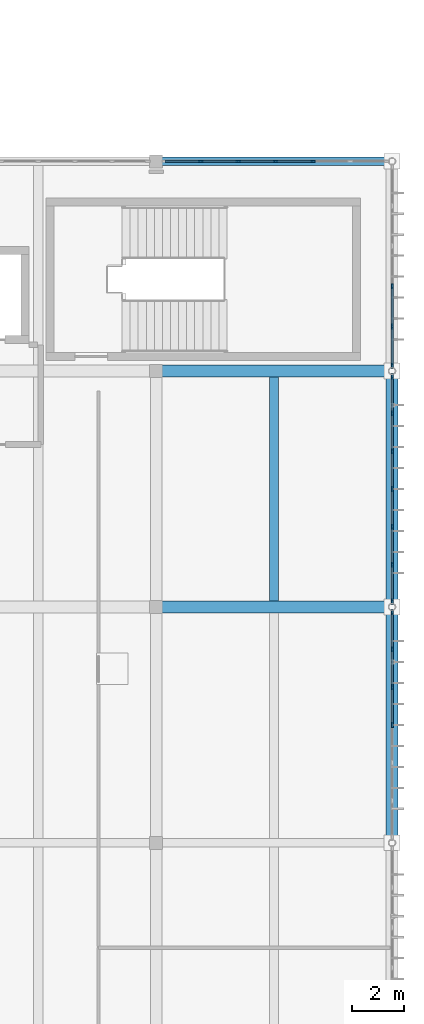
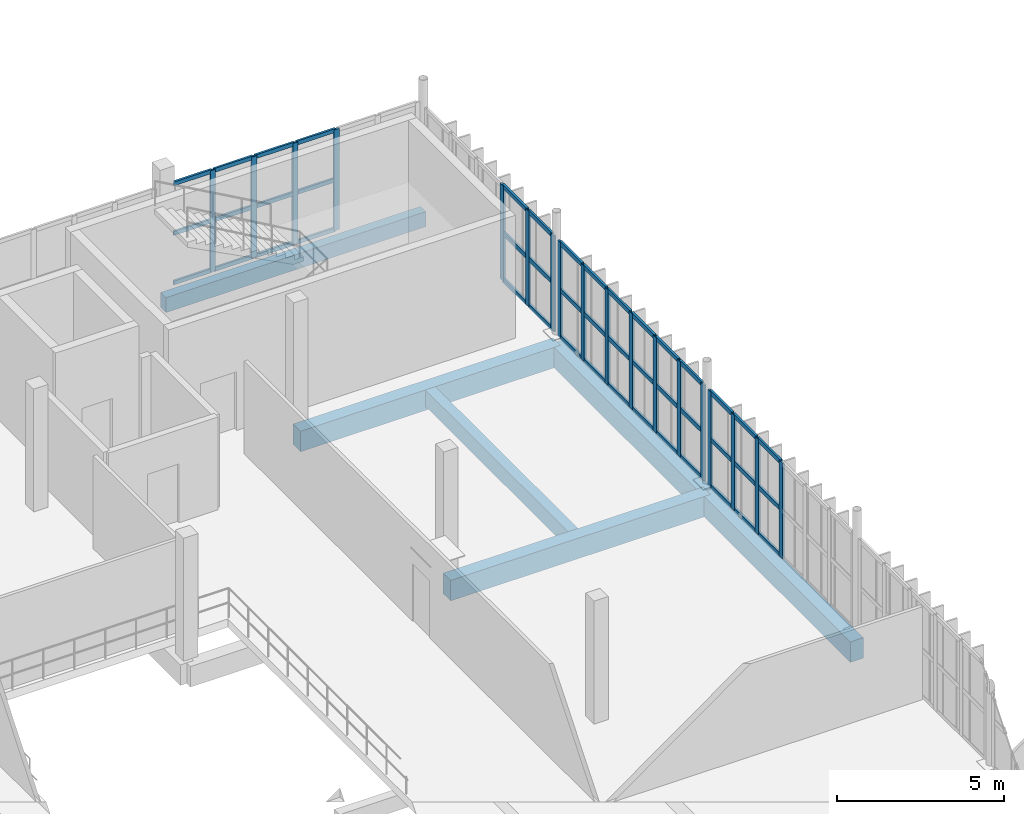
# One storey, part 36 of 81: 63 members, 6 beams, 4 elements without a shape of their own.
"""IFC4 building model written with IfcOpenShell, lengths in metres."""

from ifc_helpers import new_model, si_unit, direction, frame, origin, origin_2d, place, context, subcontext, project, spatial, rectangle, extrude, material, material_profile, profile_set, type_object, element, aggregate, save


model = new_model("IFC4")

# Units and contexts
model_context = context("Model", 3, precision=1e-05, world=origin(), true_north=direction((0.0, 1.0)))
body_context = subcontext(model_context, "Body", "Model", "MODEL_VIEW")
ifc_project = project(units=[si_unit("LENGTHUNIT", "METRE"), si_unit("AREAUNIT", "SQUARE_METRE"), si_unit("VOLUMEUNIT", "CUBIC_METRE"), si_unit("PLANEANGLEUNIT", "RADIAN"), si_unit("MASSUNIT", "GRAM", prefix="KILO")], contexts=[model_context])

# Site, building, storey
site_placement = place(None, origin())
site = spatial("IfcSite", under=ifc_project, at=site_placement, CompositionType="ELEMENT")
building_placement = place(site_placement, origin())
building = spatial("IfcBuilding", under=site, at=building_placement, Name="Vourika Railside Aquatics Centre", CompositionType="ELEMENT")
storey_placement = place(building_placement, frame((0.0, 0.0, 4.800048828125)))
storey = spatial("IfcBuildingStorey", under=building, at=storey_placement, Name="L01", CompositionType="ELEMENT", Elevation=4.800048828125)

# Beams
ifc_material_1 = material(Name="Concrete C35/45", Category="concrete")
ifc_material_profile_1 = material_profile(ifc_material_1, rectangle(XDim=0.449951171875, YDim=0.75, at=origin_2d()), Name="RC 450x750")
ifc_profile_set_1 = profile_set([ifc_material_profile_1], Name="Concrete C35/45")
beam_type_1 = type_object("IfcBeamType", Name="BM-GIRD-450x750", PredefinedType="BEAM", material=ifc_profile_set_1)
for number, where, z_axis, x_axis, name in (
    (1, (159.0, 75.0, -0.675048828125), (1.0, 0.0, 0.0), (0.0, 1.0, 0.0), "Floor Beam GX-L01-099"),
    (2, (159.0, 84.0, -0.675048828125), (1.0, 0.0, 0.0), (0.0, 1.0, 0.0), "Floor Beam GX-L01-104"),
    (3, (168.0, 66.0, -0.675048828125), (0.0, 1.0, 0.0), (-1.0, 0.0, 0.0), "Floor Girder GY-L01-295"),
    (4, (168.0, 75.0, -0.675048828125), (0.0, 1.0, 0.0), (-1.0, 0.0, 0.0), "Floor Girder GY-L01-296"),
):
    element("IfcBeam", number, at=place(storey_placement, frame(where, z_axis=z_axis, x_axis=x_axis)), inside=storey, type_object=beam_type_1, Name=name, PredefinedType="BEAM", context=body_context, shape_type="SweptSolid", body=[
        extrude(rectangle(XDim=0.449951171875, YDim=0.75, at=origin_2d()), origin(), (0.0, 0.0, 1.0), 9.0),
    ])
ifc_material_profile_2 = material_profile(ifc_material_1, rectangle(XDim=0.35009765625, YDim=0.60009765625, at=origin_2d()), Name="RC 350x600")
ifc_profile_set_2 = profile_set([ifc_material_profile_2], Name="Concrete C35/45")
beam_type_2 = type_object("IfcBeamType", Name="BM-SEC-350x600", PredefinedType="JOIST", material=ifc_profile_set_2)
beam_1_placement = place(storey_placement, frame((163.5, 75.22509765625, -0.60009765625), z_axis=(0.0, 1.0, 0.0), x_axis=(-1.0, 0.0, 0.0)))
element("IfcBeam", 5, at=beam_1_placement, inside=storey, type_object=beam_type_2, Name="Secondary Joist JY-L01-346", PredefinedType="JOIST", context=body_context, shape_type="SweptSolid", body=[
    extrude(rectangle(XDim=0.35009765625, YDim=0.60009765625, at=origin_2d()), origin(), (0.0, 0.0, 1.0), 8.5498046875),
])
ifc_material_profile_3 = material_profile(ifc_material_1, rectangle(XDim=0.320068359375, YDim=0.550048828125, at=origin_2d()), Name="RC 320x550")
ifc_profile_set_3 = profile_set([ifc_material_profile_3], Name="Concrete C35/45")
beam_type_3 = type_object("IfcBeamType", Name="BM-SPAN-320x550", PredefinedType="SPANDREL", material=ifc_profile_set_3)
beam_2_placement = place(storey_placement, frame((159.0, 92.0, -0.574951171875), z_axis=(1.0, 0.0, 0.0), x_axis=(0.0, 1.0, 0.0)))
element("IfcBeam", 6, at=beam_2_placement, inside=storey, type_object=beam_type_3, Name="Floor Beam GX-L01-123", PredefinedType="SPANDREL", context=body_context, shape_type="SweptSolid", body=[
    extrude(rectangle(XDim=0.320068359375, YDim=0.550048828125, at=origin_2d()), origin(), (0.0, 0.0, 1.0), 9.0),
])

# Curtain wall, members
ifc_material_2 = material(Name="Anodized thermally broken aluminium", Category="aluminium")
curtain_wall_type_1 = type_object("IfcCurtainWallType", Name="CW-FOYE", PredefinedType="NOTDEFINED", material=ifc_material_2)
curtain_wall_1_placement = place(storey_placement, origin())
curtain_wall_1 = element("IfcCurtainWall", 7, at=curtain_wall_1_placement, inside=storey, type_object=curtain_wall_type_1, Name="East Arrival Facade Curtain Wall L01-4", PredefinedType="NOTDEFINED")
ifc_material_3 = material(Name="Anodized aluminium mullion", Category="aluminium")
ifc_material_profile_4 = material_profile(ifc_material_3, rectangle(XDim=0.074951171875, YDim=0.199951171875, at=origin_2d()), Name="ALU-M 75x200")
ifc_profile_set_4 = profile_set([ifc_material_profile_4], Name="Anodized aluminium mullion")
member_type_1 = type_object("IfcMemberType", Name="CWM-FOYE", PredefinedType="MULLION", material=ifc_profile_set_4)
member_1_placement = place(storey_placement, frame((168.0, 70.5, 0.0), z_axis=(0.0, 0.0, 1.0), x_axis=(-1.0, 0.0, 0.0)))
member_1 = element("IfcMember", 8, at=member_1_placement, type_object=member_type_1, Name="CW10 mullion 4", PredefinedType="MULLION", context=body_context, shape_type="SweptSolid", body=[
    extrude(rectangle(XDim=0.074951171875, YDim=0.199951171875, at=origin_2d()), origin(), (0.0, 0.0, 1.0), 3.5),
])
member_2_placement = place(storey_placement, frame((168.0, 71.944580078125, 0.0), z_axis=(0.0, 0.0, 1.0), x_axis=(-1.0, 0.0, 0.0)))
member_2 = element("IfcMember", 9, at=member_2_placement, type_object=member_type_1, Name="CW10 mullion 5", PredefinedType="MULLION", context=body_context, shape_type="SweptSolid", body=[
    extrude(rectangle(XDim=0.074951171875, YDim=0.199951171875, at=origin_2d()), origin(), (0.0, 0.0, 1.0), 3.5),
])
member_3_placement = place(storey_placement, frame((168.0, 73.388916015625, 0.0), z_axis=(0.0, 0.0, 1.0), x_axis=(-1.0, 0.0, 0.0)))
member_3 = element("IfcMember", 10, at=member_3_placement, type_object=member_type_1, Name="CW10 mullion 6", PredefinedType="MULLION", context=body_context, shape_type="SweptSolid", body=[
    extrude(rectangle(XDim=0.074951171875, YDim=0.199951171875, at=origin_2d()), origin(), (0.0, 0.0, 1.0), 3.5),
])
member_4_placement = place(storey_placement, frame((168.0, 74.7958984375, 0.0), z_axis=(0.0, 0.0, 1.0), x_axis=(-1.0, 0.0, 0.0)))
member_4 = element("IfcMember", 11, at=member_4_placement, type_object=member_type_1, Name="CW10 mullion 7", PredefinedType="MULLION", context=body_context, shape_type="SweptSolid", body=[
    extrude(rectangle(XDim=0.074951171875, YDim=0.199951171875, at=origin_2d()), origin(), (0.0, 0.0, 1.0), 3.5),
])

curtain_wall_2_placement = place(storey_placement, origin())
curtain_wall_2 = element("IfcCurtainWall", 12, at=curtain_wall_2_placement, inside=storey, type_object=curtain_wall_type_1, Name="East Arrival Facade Curtain Wall L01-5", PredefinedType="NOTDEFINED")
member_5_placement = place(storey_placement, frame((168.0, 75.2041015625, 0.0), z_axis=(0.0, 0.0, 1.0), x_axis=(-1.0, 0.0, 0.0)))
member_5 = element("IfcMember", 13, at=member_5_placement, type_object=member_type_1, Name="CW10 mullion 1", PredefinedType="MULLION", context=body_context, shape_type="SweptSolid", body=[
    extrude(rectangle(XDim=0.074951171875, YDim=0.199951171875, at=origin_2d()), origin(), (0.0, 0.0, 1.0), 3.5),
])
member_6_placement = place(storey_placement, frame((168.0, 76.611083984375, 0.0), z_axis=(0.0, 0.0, 1.0), x_axis=(-1.0, 0.0, 0.0)))
member_6 = element("IfcMember", 14, at=member_6_placement, type_object=member_type_1, Name="CW10 mullion 2", PredefinedType="MULLION", context=body_context, shape_type="SweptSolid", body=[
    extrude(rectangle(XDim=0.074951171875, YDim=0.199951171875, at=origin_2d()), origin(), (0.0, 0.0, 1.0), 3.5),
])
member_7_placement = place(storey_placement, frame((168.0, 78.055419921875, 0.0), z_axis=(0.0, 0.0, 1.0), x_axis=(-1.0, 0.0, 0.0)))
member_7 = element("IfcMember", 15, at=member_7_placement, type_object=member_type_1, Name="CW10 mullion 3", PredefinedType="MULLION", context=body_context, shape_type="SweptSolid", body=[
    extrude(rectangle(XDim=0.074951171875, YDim=0.199951171875, at=origin_2d()), origin(), (0.0, 0.0, 1.0), 3.5),
])
member_8_placement = place(storey_placement, frame((168.0, 79.5, 0.0), z_axis=(0.0, 0.0, 1.0), x_axis=(-1.0, 0.0, 0.0)))
member_8 = element("IfcMember", 16, at=member_8_placement, type_object=member_type_1, Name="CW10 mullion 4", PredefinedType="MULLION", context=body_context, shape_type="SweptSolid", body=[
    extrude(rectangle(XDim=0.074951171875, YDim=0.199951171875, at=origin_2d()), origin(), (0.0, 0.0, 1.0), 3.5),
])
member_9_placement = place(storey_placement, frame((168.0, 80.944580078125, 0.0), z_axis=(0.0, 0.0, 1.0), x_axis=(-1.0, 0.0, 0.0)))
member_9 = element("IfcMember", 17, at=member_9_placement, type_object=member_type_1, Name="CW10 mullion 5", PredefinedType="MULLION", context=body_context, shape_type="SweptSolid", body=[
    extrude(rectangle(XDim=0.074951171875, YDim=0.199951171875, at=origin_2d()), origin(), (0.0, 0.0, 1.0), 3.5),
])
member_10_placement = place(storey_placement, frame((168.0, 82.388916015625, 0.0), z_axis=(0.0, 0.0, 1.0), x_axis=(-1.0, 0.0, 0.0)))
member_10 = element("IfcMember", 18, at=member_10_placement, type_object=member_type_1, Name="CW10 mullion 6", PredefinedType="MULLION", context=body_context, shape_type="SweptSolid", body=[
    extrude(rectangle(XDim=0.074951171875, YDim=0.199951171875, at=origin_2d()), origin(), (0.0, 0.0, 1.0), 3.5),
])
member_11_placement = place(storey_placement, frame((168.0, 83.7958984375, 0.0), z_axis=(0.0, 0.0, 1.0), x_axis=(-1.0, 0.0, 0.0)))
member_11 = element("IfcMember", 19, at=member_11_placement, type_object=member_type_1, Name="CW10 mullion 7", PredefinedType="MULLION", context=body_context, shape_type="SweptSolid", body=[
    extrude(rectangle(XDim=0.074951171875, YDim=0.199951171875, at=origin_2d()), origin(), (0.0, 0.0, 1.0), 3.5),
])

curtain_wall_3_placement = place(storey_placement, origin())
curtain_wall_3 = element("IfcCurtainWall", 20, at=curtain_wall_3_placement, inside=storey, type_object=curtain_wall_type_1, Name="East Arrival Facade Curtain Wall L01-6", PredefinedType="NOTDEFINED")
member_12_placement = place(storey_placement, frame((168.0, 84.2041015625, 0.0), z_axis=(0.0, 0.0, 1.0), x_axis=(-1.0, 0.0, 0.0)))
member_12 = element("IfcMember", 21, at=member_12_placement, type_object=member_type_1, Name="CW10 mullion 1", PredefinedType="MULLION", context=body_context, shape_type="SweptSolid", body=[
    extrude(rectangle(XDim=0.074951171875, YDim=0.199951171875, at=origin_2d()), origin(), (0.0, 0.0, 1.0), 3.5),
])
member_13_placement = place(storey_placement, frame((168.0, 85.699951171875, 0.0), z_axis=(0.0, 0.0, 1.0), x_axis=(-1.0, 0.0, 0.0)))
member_13 = element("IfcMember", 22, at=member_13_placement, type_object=member_type_1, Name="CW10 mullion 2", PredefinedType="MULLION", context=body_context, shape_type="SweptSolid", body=[
    extrude(rectangle(XDim=0.074951171875, YDim=0.199951171875, at=origin_2d()), origin(), (0.0, 0.0, 1.0), 3.5),
])
member_14_placement = place(storey_placement, frame((168.0, 87.2333984375, 0.0), z_axis=(0.0, 0.0, 1.0), x_axis=(-1.0, 0.0, 0.0)))
member_14 = element("IfcMember", 23, at=member_14_placement, type_object=member_type_1, Name="CW10 mullion 3", PredefinedType="MULLION", context=body_context, shape_type="SweptSolid", body=[
    extrude(rectangle(XDim=0.074951171875, YDim=0.199951171875, at=origin_2d()), origin(), (0.0, 0.0, 1.0), 3.5),
])

curtain_wall_type_2 = type_object("IfcCurtainWallType", Name="CW-FOYS", PredefinedType="NOTDEFINED", material=ifc_material_2)
curtain_wall_4_placement = place(storey_placement, origin())
curtain_wall_4 = element("IfcCurtainWall", 24, at=curtain_wall_4_placement, inside=storey, type_object=curtain_wall_type_2, Name="Foyer North Glazed Facade L01-3", PredefinedType="NOTDEFINED")
ifc_material_profile_5 = material_profile(ifc_material_3, rectangle(XDim=0.072021484375, YDim=0.181884765625, at=origin_2d()), Name="ALU-M 72x182")
ifc_profile_set_5 = profile_set([ifc_material_profile_5], Name="Anodized aluminium mullion")
member_type_2 = type_object("IfcMemberType", Name="CWM-FOYS", PredefinedType="MULLION", material=ifc_profile_set_5)
member_15_placement = place(storey_placement, frame((164.982421875, 92.0, 0.0), z_axis=(0.0, 0.0, 1.0), x_axis=(0.0, -1.0, 0.0)))
member_15 = element("IfcMember", 25, at=member_15_placement, type_object=member_type_2, Name="CW11 mullion 3", PredefinedType="MULLION", context=body_context, shape_type="SweptSolid", body=[
    extrude(rectangle(XDim=0.072021484375, YDim=0.181884765625, at=origin_2d()), origin(), (0.0, 0.0, 1.0), 3.699951171875),
])
member_16_placement = place(storey_placement, frame((163.556640625, 92.0, 0.0), z_axis=(0.0, 0.0, 1.0), x_axis=(0.0, -1.0, 0.0)))
member_16 = element("IfcMember", 26, at=member_16_placement, type_object=member_type_2, Name="CW11 mullion 4", PredefinedType="MULLION", context=body_context, shape_type="SweptSolid", body=[
    extrude(rectangle(XDim=0.072021484375, YDim=0.181884765625, at=origin_2d()), origin(), (0.0, 0.0, 1.0), 3.699951171875),
])
member_17_placement = place(storey_placement, frame((162.131103515625, 92.0, 0.0), z_axis=(0.0, 0.0, 1.0), x_axis=(0.0, -1.0, 0.0)))
member_17 = element("IfcMember", 27, at=member_17_placement, type_object=member_type_2, Name="CW11 mullion 5", PredefinedType="MULLION", context=body_context, shape_type="SweptSolid", body=[
    extrude(rectangle(XDim=0.072021484375, YDim=0.181884765625, at=origin_2d()), origin(), (0.0, 0.0, 1.0), 3.699951171875),
])
member_18_placement = place(storey_placement, frame((160.70556640625, 92.0, 0.0), z_axis=(0.0, 0.0, 1.0), x_axis=(0.0, -1.0, 0.0)))
member_18 = element("IfcMember", 28, at=member_18_placement, type_object=member_type_2, Name="CW11 mullion 6", PredefinedType="MULLION", context=body_context, shape_type="SweptSolid", body=[
    extrude(rectangle(XDim=0.072021484375, YDim=0.181884765625, at=origin_2d()), origin(), (0.0, 0.0, 1.0), 3.699951171875),
])

# Member
ifc_material_4 = material(Name="Anodized aluminium transom", Category="aluminium")
ifc_material_profile_6 = material_profile(ifc_material_4, rectangle(XDim=0.074951171875, YDim=0.157958984375, at=origin_2d()), Name="ALU-T 75x158")
ifc_profile_set_6 = profile_set([ifc_material_profile_6], Name="Anodized aluminium transom")
member_type_3 = type_object("IfcMemberType", Name="CWT-FOYE", PredefinedType="USERDEFINED", material=ifc_profile_set_6)
member_19_placement = place(storey_placement, frame((168.0, 70.53759765625, 0.037353515625), z_axis=(0.0, 1.0, 0.0), x_axis=(-1.0, 0.0, 0.0)))
member_19 = element("IfcMember", 29, at=member_19_placement, type_object=member_type_3, Name="CW10 transom 4.1", ObjectType="TRANSOM", PredefinedType="USERDEFINED", context=body_context, shape_type="SweptSolid", body=[
    extrude(rectangle(XDim=0.074951171875, YDim=0.157958984375, at=origin_2d()), origin(), (0.0, 0.0, 1.0), 1.369384765625),
])

member_20_placement = place(storey_placement, frame((168.0, 70.53759765625, 1.75), z_axis=(0.0, 1.0, 0.0), x_axis=(-1.0, 0.0, 0.0)))
member_20 = element("IfcMember", 30, at=member_20_placement, type_object=member_type_3, Name="CW10 transom 4.2", ObjectType="TRANSOM", PredefinedType="USERDEFINED", context=body_context, shape_type="SweptSolid", body=[
    extrude(rectangle(XDim=0.074951171875, YDim=0.157958984375, at=origin_2d()), origin(), (0.0, 0.0, 1.0), 1.369384765625),
])

member_21_placement = place(storey_placement, frame((168.0, 70.53759765625, 3.46240234375), z_axis=(0.0, 1.0, 0.0), x_axis=(-1.0, 0.0, 0.0)))
member_21 = element("IfcMember", 31, at=member_21_placement, type_object=member_type_3, Name="CW10 transom 4.3", ObjectType="TRANSOM", PredefinedType="USERDEFINED", context=body_context, shape_type="SweptSolid", body=[
    extrude(rectangle(XDim=0.074951171875, YDim=0.157958984375, at=origin_2d()), origin(), (0.0, 0.0, 1.0), 1.369384765625),
])

member_22_placement = place(storey_placement, frame((168.0, 71.98193359375, 0.037353515625), z_axis=(0.0, 1.0, 0.0), x_axis=(-1.0, 0.0, 0.0)))
member_22 = element("IfcMember", 32, at=member_22_placement, type_object=member_type_3, Name="CW10 transom 5.1", ObjectType="TRANSOM", PredefinedType="USERDEFINED", context=body_context, shape_type="SweptSolid", body=[
    extrude(rectangle(XDim=0.074951171875, YDim=0.157958984375, at=origin_2d()), origin(), (0.0, 0.0, 1.0), 1.36962890625),
])

member_23_placement = place(storey_placement, frame((168.0, 71.98193359375, 1.75), z_axis=(0.0, 1.0, 0.0), x_axis=(-1.0, 0.0, 0.0)))
member_23 = element("IfcMember", 33, at=member_23_placement, type_object=member_type_3, Name="CW10 transom 5.2", ObjectType="TRANSOM", PredefinedType="USERDEFINED", context=body_context, shape_type="SweptSolid", body=[
    extrude(rectangle(XDim=0.074951171875, YDim=0.157958984375, at=origin_2d()), origin(), (0.0, 0.0, 1.0), 1.36962890625),
])

member_24_placement = place(storey_placement, frame((168.0, 71.98193359375, 3.46240234375), z_axis=(0.0, 1.0, 0.0), x_axis=(-1.0, 0.0, 0.0)))
member_24 = element("IfcMember", 34, at=member_24_placement, type_object=member_type_3, Name="CW10 transom 5.3", ObjectType="TRANSOM", PredefinedType="USERDEFINED", context=body_context, shape_type="SweptSolid", body=[
    extrude(rectangle(XDim=0.074951171875, YDim=0.157958984375, at=origin_2d()), origin(), (0.0, 0.0, 1.0), 1.36962890625),
])

member_25_placement = place(storey_placement, frame((168.0, 73.426513671875, 0.037353515625), z_axis=(0.0, 1.0, 0.0), x_axis=(-1.0, 0.0, 0.0)))
member_25 = element("IfcMember", 35, at=member_25_placement, type_object=member_type_3, Name="CW10 transom 6.1", ObjectType="TRANSOM", PredefinedType="USERDEFINED", context=body_context, shape_type="SweptSolid", body=[
    extrude(rectangle(XDim=0.074951171875, YDim=0.157958984375, at=origin_2d()), origin(), (0.0, 0.0, 1.0), 1.33203125),
])

member_26_placement = place(storey_placement, frame((168.0, 73.426513671875, 1.75), z_axis=(0.0, 1.0, 0.0), x_axis=(-1.0, 0.0, 0.0)))
member_26 = element("IfcMember", 36, at=member_26_placement, type_object=member_type_3, Name="CW10 transom 6.2", ObjectType="TRANSOM", PredefinedType="USERDEFINED", context=body_context, shape_type="SweptSolid", body=[
    extrude(rectangle(XDim=0.074951171875, YDim=0.157958984375, at=origin_2d()), origin(), (0.0, 0.0, 1.0), 1.33203125),
])

member_27_placement = place(storey_placement, frame((168.0, 73.426513671875, 3.46240234375), z_axis=(0.0, 1.0, 0.0), x_axis=(-1.0, 0.0, 0.0)))
member_27 = element("IfcMember", 37, at=member_27_placement, type_object=member_type_3, Name="CW10 transom 6.3", ObjectType="TRANSOM", PredefinedType="USERDEFINED", context=body_context, shape_type="SweptSolid", body=[
    extrude(rectangle(XDim=0.074951171875, YDim=0.157958984375, at=origin_2d()), origin(), (0.0, 0.0, 1.0), 1.33203125),
])

aggregate(curtain_wall_1, [member_1, member_2, member_3, member_4, member_19, member_20, member_21, member_22, member_23, member_24, member_25, member_26, member_27])

member_28_placement = place(storey_placement, frame((168.0, 75.241455078125, 0.037353515625), z_axis=(0.0, 1.0, 0.0), x_axis=(-1.0, 0.0, 0.0)))
member_28 = element("IfcMember", 38, at=member_28_placement, type_object=member_type_3, Name="CW10 transom 1.1", ObjectType="TRANSOM", PredefinedType="USERDEFINED", context=body_context, shape_type="SweptSolid", body=[
    extrude(rectangle(XDim=0.074951171875, YDim=0.157958984375, at=origin_2d()), origin(), (0.0, 0.0, 1.0), 1.33203125),
])

member_29_placement = place(storey_placement, frame((168.0, 75.241455078125, 1.75), z_axis=(0.0, 1.0, 0.0), x_axis=(-1.0, 0.0, 0.0)))
member_29 = element("IfcMember", 39, at=member_29_placement, type_object=member_type_3, Name="CW10 transom 1.2", ObjectType="TRANSOM", PredefinedType="USERDEFINED", context=body_context, shape_type="SweptSolid", body=[
    extrude(rectangle(XDim=0.074951171875, YDim=0.157958984375, at=origin_2d()), origin(), (0.0, 0.0, 1.0), 1.33203125),
])

member_30_placement = place(storey_placement, frame((168.0, 75.241455078125, 3.46240234375), z_axis=(0.0, 1.0, 0.0), x_axis=(-1.0, 0.0, 0.0)))
member_30 = element("IfcMember", 40, at=member_30_placement, type_object=member_type_3, Name="CW10 transom 1.3", ObjectType="TRANSOM", PredefinedType="USERDEFINED", context=body_context, shape_type="SweptSolid", body=[
    extrude(rectangle(XDim=0.074951171875, YDim=0.157958984375, at=origin_2d()), origin(), (0.0, 0.0, 1.0), 1.33203125),
])

member_31_placement = place(storey_placement, frame((168.0, 76.6484375, 0.037353515625), z_axis=(0.0, 1.0, 0.0), x_axis=(-1.0, 0.0, 0.0)))
member_31 = element("IfcMember", 41, at=member_31_placement, type_object=member_type_3, Name="CW10 transom 2.1", ObjectType="TRANSOM", PredefinedType="USERDEFINED", context=body_context, shape_type="SweptSolid", body=[
    extrude(rectangle(XDim=0.074951171875, YDim=0.157958984375, at=origin_2d()), origin(), (0.0, 0.0, 1.0), 1.36962890625),
])

member_32_placement = place(storey_placement, frame((168.0, 76.6484375, 1.75), z_axis=(0.0, 1.0, 0.0), x_axis=(-1.0, 0.0, 0.0)))
member_32 = element("IfcMember", 42, at=member_32_placement, type_object=member_type_3, Name="CW10 transom 2.2", ObjectType="TRANSOM", PredefinedType="USERDEFINED", context=body_context, shape_type="SweptSolid", body=[
    extrude(rectangle(XDim=0.074951171875, YDim=0.157958984375, at=origin_2d()), origin(), (0.0, 0.0, 1.0), 1.36962890625),
])

member_33_placement = place(storey_placement, frame((168.0, 76.6484375, 3.46240234375), z_axis=(0.0, 1.0, 0.0), x_axis=(-1.0, 0.0, 0.0)))
member_33 = element("IfcMember", 43, at=member_33_placement, type_object=member_type_3, Name="CW10 transom 2.3", ObjectType="TRANSOM", PredefinedType="USERDEFINED", context=body_context, shape_type="SweptSolid", body=[
    extrude(rectangle(XDim=0.074951171875, YDim=0.157958984375, at=origin_2d()), origin(), (0.0, 0.0, 1.0), 1.36962890625),
])

member_34_placement = place(storey_placement, frame((168.0, 78.093017578125, 0.037353515625), z_axis=(0.0, 1.0, 0.0), x_axis=(-1.0, 0.0, 0.0)))
member_34 = element("IfcMember", 44, at=member_34_placement, type_object=member_type_3, Name="CW10 transom 3.1", ObjectType="TRANSOM", PredefinedType="USERDEFINED", context=body_context, shape_type="SweptSolid", body=[
    extrude(rectangle(XDim=0.074951171875, YDim=0.157958984375, at=origin_2d()), origin(), (0.0, 0.0, 1.0), 1.369384765625),
])

member_35_placement = place(storey_placement, frame((168.0, 78.093017578125, 1.75), z_axis=(0.0, 1.0, 0.0), x_axis=(-1.0, 0.0, 0.0)))
member_35 = element("IfcMember", 45, at=member_35_placement, type_object=member_type_3, Name="CW10 transom 3.2", ObjectType="TRANSOM", PredefinedType="USERDEFINED", context=body_context, shape_type="SweptSolid", body=[
    extrude(rectangle(XDim=0.074951171875, YDim=0.157958984375, at=origin_2d()), origin(), (0.0, 0.0, 1.0), 1.369384765625),
])

member_36_placement = place(storey_placement, frame((168.0, 78.093017578125, 3.46240234375), z_axis=(0.0, 1.0, 0.0), x_axis=(-1.0, 0.0, 0.0)))
member_36 = element("IfcMember", 46, at=member_36_placement, type_object=member_type_3, Name="CW10 transom 3.3", ObjectType="TRANSOM", PredefinedType="USERDEFINED", context=body_context, shape_type="SweptSolid", body=[
    extrude(rectangle(XDim=0.074951171875, YDim=0.157958984375, at=origin_2d()), origin(), (0.0, 0.0, 1.0), 1.369384765625),
])

member_37_placement = place(storey_placement, frame((168.0, 79.53759765625, 0.037353515625), z_axis=(0.0, 1.0, 0.0), x_axis=(-1.0, 0.0, 0.0)))
member_37 = element("IfcMember", 47, at=member_37_placement, type_object=member_type_3, Name="CW10 transom 4.1", ObjectType="TRANSOM", PredefinedType="USERDEFINED", context=body_context, shape_type="SweptSolid", body=[
    extrude(rectangle(XDim=0.074951171875, YDim=0.157958984375, at=origin_2d()), origin(), (0.0, 0.0, 1.0), 1.369384765625),
])

member_38_placement = place(storey_placement, frame((168.0, 79.53759765625, 1.75), z_axis=(0.0, 1.0, 0.0), x_axis=(-1.0, 0.0, 0.0)))
member_38 = element("IfcMember", 48, at=member_38_placement, type_object=member_type_3, Name="CW10 transom 4.2", ObjectType="TRANSOM", PredefinedType="USERDEFINED", context=body_context, shape_type="SweptSolid", body=[
    extrude(rectangle(XDim=0.074951171875, YDim=0.157958984375, at=origin_2d()), origin(), (0.0, 0.0, 1.0), 1.369384765625),
])

member_39_placement = place(storey_placement, frame((168.0, 79.53759765625, 3.46240234375), z_axis=(0.0, 1.0, 0.0), x_axis=(-1.0, 0.0, 0.0)))
member_39 = element("IfcMember", 49, at=member_39_placement, type_object=member_type_3, Name="CW10 transom 4.3", ObjectType="TRANSOM", PredefinedType="USERDEFINED", context=body_context, shape_type="SweptSolid", body=[
    extrude(rectangle(XDim=0.074951171875, YDim=0.157958984375, at=origin_2d()), origin(), (0.0, 0.0, 1.0), 1.369384765625),
])

member_40_placement = place(storey_placement, frame((168.0, 80.98193359375, 0.037353515625), z_axis=(0.0, 1.0, 0.0), x_axis=(-1.0, 0.0, 0.0)))
member_40 = element("IfcMember", 50, at=member_40_placement, type_object=member_type_3, Name="CW10 transom 5.1", ObjectType="TRANSOM", PredefinedType="USERDEFINED", context=body_context, shape_type="SweptSolid", body=[
    extrude(rectangle(XDim=0.074951171875, YDim=0.157958984375, at=origin_2d()), origin(), (0.0, 0.0, 1.0), 1.36962890625),
])

member_41_placement = place(storey_placement, frame((168.0, 80.98193359375, 1.75), z_axis=(0.0, 1.0, 0.0), x_axis=(-1.0, 0.0, 0.0)))
member_41 = element("IfcMember", 51, at=member_41_placement, type_object=member_type_3, Name="CW10 transom 5.2", ObjectType="TRANSOM", PredefinedType="USERDEFINED", context=body_context, shape_type="SweptSolid", body=[
    extrude(rectangle(XDim=0.074951171875, YDim=0.157958984375, at=origin_2d()), origin(), (0.0, 0.0, 1.0), 1.36962890625),
])

member_42_placement = place(storey_placement, frame((168.0, 80.98193359375, 3.46240234375), z_axis=(0.0, 1.0, 0.0), x_axis=(-1.0, 0.0, 0.0)))
member_42 = element("IfcMember", 52, at=member_42_placement, type_object=member_type_3, Name="CW10 transom 5.3", ObjectType="TRANSOM", PredefinedType="USERDEFINED", context=body_context, shape_type="SweptSolid", body=[
    extrude(rectangle(XDim=0.074951171875, YDim=0.157958984375, at=origin_2d()), origin(), (0.0, 0.0, 1.0), 1.36962890625),
])

member_43_placement = place(storey_placement, frame((168.0, 82.426513671875, 0.037353515625), z_axis=(0.0, 1.0, 0.0), x_axis=(-1.0, 0.0, 0.0)))
member_43 = element("IfcMember", 53, at=member_43_placement, type_object=member_type_3, Name="CW10 transom 6.1", ObjectType="TRANSOM", PredefinedType="USERDEFINED", context=body_context, shape_type="SweptSolid", body=[
    extrude(rectangle(XDim=0.074951171875, YDim=0.157958984375, at=origin_2d()), origin(), (0.0, 0.0, 1.0), 1.33203125),
])

member_44_placement = place(storey_placement, frame((168.0, 82.426513671875, 1.75), z_axis=(0.0, 1.0, 0.0), x_axis=(-1.0, 0.0, 0.0)))
member_44 = element("IfcMember", 54, at=member_44_placement, type_object=member_type_3, Name="CW10 transom 6.2", ObjectType="TRANSOM", PredefinedType="USERDEFINED", context=body_context, shape_type="SweptSolid", body=[
    extrude(rectangle(XDim=0.074951171875, YDim=0.157958984375, at=origin_2d()), origin(), (0.0, 0.0, 1.0), 1.33203125),
])

member_45_placement = place(storey_placement, frame((168.0, 82.426513671875, 3.46240234375), z_axis=(0.0, 1.0, 0.0), x_axis=(-1.0, 0.0, 0.0)))
member_45 = element("IfcMember", 55, at=member_45_placement, type_object=member_type_3, Name="CW10 transom 6.3", ObjectType="TRANSOM", PredefinedType="USERDEFINED", context=body_context, shape_type="SweptSolid", body=[
    extrude(rectangle(XDim=0.074951171875, YDim=0.157958984375, at=origin_2d()), origin(), (0.0, 0.0, 1.0), 1.33203125),
])

aggregate(curtain_wall_2, [member_5, member_6, member_7, member_8, member_9, member_10, member_11, member_28, member_29, member_30, member_31, member_32, member_33, member_34, member_35, member_36, member_37, member_38, member_39, member_40, member_41, member_42, member_43, member_44, member_45])

member_46_placement = place(storey_placement, frame((168.0, 84.241455078125, 0.037353515625), z_axis=(0.0, 1.0, 0.0), x_axis=(-1.0, 0.0, 0.0)))
member_46 = element("IfcMember", 56, at=member_46_placement, type_object=member_type_3, Name="CW10 transom 1.1", ObjectType="TRANSOM", PredefinedType="USERDEFINED", context=body_context, shape_type="SweptSolid", body=[
    extrude(rectangle(XDim=0.074951171875, YDim=0.157958984375, at=origin_2d()), origin(), (0.0, 0.0, 1.0), 1.4208984375),
])

member_47_placement = place(storey_placement, frame((168.0, 84.241455078125, 1.75), z_axis=(0.0, 1.0, 0.0), x_axis=(-1.0, 0.0, 0.0)))
member_47 = element("IfcMember", 57, at=member_47_placement, type_object=member_type_3, Name="CW10 transom 1.2", ObjectType="TRANSOM", PredefinedType="USERDEFINED", context=body_context, shape_type="SweptSolid", body=[
    extrude(rectangle(XDim=0.074951171875, YDim=0.157958984375, at=origin_2d()), origin(), (0.0, 0.0, 1.0), 1.4208984375),
])

member_48_placement = place(storey_placement, frame((168.0, 84.241455078125, 3.46240234375), z_axis=(0.0, 1.0, 0.0), x_axis=(-1.0, 0.0, 0.0)))
member_48 = element("IfcMember", 58, at=member_48_placement, type_object=member_type_3, Name="CW10 transom 1.3", ObjectType="TRANSOM", PredefinedType="USERDEFINED", context=body_context, shape_type="SweptSolid", body=[
    extrude(rectangle(XDim=0.074951171875, YDim=0.157958984375, at=origin_2d()), origin(), (0.0, 0.0, 1.0), 1.4208984375),
])

member_49_placement = place(storey_placement, frame((168.0, 85.7373046875, 0.037353515625), z_axis=(0.0, 1.0, 0.0), x_axis=(-1.0, 0.0, 0.0)))
member_49 = element("IfcMember", 59, at=member_49_placement, type_object=member_type_3, Name="CW10 transom 2.1", ObjectType="TRANSOM", PredefinedType="USERDEFINED", context=body_context, shape_type="SweptSolid", body=[
    extrude(rectangle(XDim=0.074951171875, YDim=0.157958984375, at=origin_2d()), origin(), (0.0, 0.0, 1.0), 1.45849609375),
])

member_50_placement = place(storey_placement, frame((168.0, 85.7373046875, 1.75), z_axis=(0.0, 1.0, 0.0), x_axis=(-1.0, 0.0, 0.0)))
member_50 = element("IfcMember", 60, at=member_50_placement, type_object=member_type_3, Name="CW10 transom 2.2", ObjectType="TRANSOM", PredefinedType="USERDEFINED", context=body_context, shape_type="SweptSolid", body=[
    extrude(rectangle(XDim=0.074951171875, YDim=0.157958984375, at=origin_2d()), origin(), (0.0, 0.0, 1.0), 1.45849609375),
])

member_51_placement = place(storey_placement, frame((168.0, 85.7373046875, 3.46240234375), z_axis=(0.0, 1.0, 0.0), x_axis=(-1.0, 0.0, 0.0)))
member_51 = element("IfcMember", 61, at=member_51_placement, type_object=member_type_3, Name="CW10 transom 2.3", ObjectType="TRANSOM", PredefinedType="USERDEFINED", context=body_context, shape_type="SweptSolid", body=[
    extrude(rectangle(XDim=0.074951171875, YDim=0.157958984375, at=origin_2d()), origin(), (0.0, 0.0, 1.0), 1.45849609375),
])

aggregate(curtain_wall_3, [member_12, member_13, member_14, member_46, member_47, member_48, member_49, member_50, member_51])

ifc_material_profile_7 = material_profile(ifc_material_4, rectangle(XDim=0.072021484375, YDim=0.14404296875, at=origin_2d()), Name="ALU-T 72x144")
ifc_profile_set_7 = profile_set([ifc_material_profile_7], Name="Anodized aluminium transom")
member_type_4 = type_object("IfcMemberType", Name="CWT-FOYS", PredefinedType="USERDEFINED", material=ifc_profile_set_7)
member_52_placement = place(storey_placement, frame((164.9462890625, 92.0, 0.035888671875), z_axis=(-1.0, 0.0, 0.0), x_axis=(0.0, -1.0, 0.0)))
member_52 = element("IfcMember", 62, at=member_52_placement, type_object=member_type_4, Name="CW11 transom 3.1", ObjectType="TRANSOM", PredefinedType="USERDEFINED", context=body_context, shape_type="SweptSolid", body=[
    extrude(rectangle(XDim=0.072021484375, YDim=0.14404296875, at=origin_2d()), origin(), (0.0, 0.0, 1.0), 1.353515625),
])

member_53_placement = place(storey_placement, frame((164.9462890625, 92.0, 1.849853515625), z_axis=(-1.0, 0.0, 0.0), x_axis=(0.0, -1.0, 0.0)))
member_53 = element("IfcMember", 63, at=member_53_placement, type_object=member_type_4, Name="CW11 transom 3.2", ObjectType="TRANSOM", PredefinedType="USERDEFINED", context=body_context, shape_type="SweptSolid", body=[
    extrude(rectangle(XDim=0.072021484375, YDim=0.14404296875, at=origin_2d()), origin(), (0.0, 0.0, 1.0), 1.353515625),
])

member_54_placement = place(storey_placement, frame((164.9462890625, 92.0, 3.6640625), z_axis=(-1.0, 0.0, 0.0), x_axis=(0.0, -1.0, 0.0)))
member_54 = element("IfcMember", 64, at=member_54_placement, type_object=member_type_4, Name="CW11 transom 3.3", ObjectType="TRANSOM", PredefinedType="USERDEFINED", context=body_context, shape_type="SweptSolid", body=[
    extrude(rectangle(XDim=0.072021484375, YDim=0.14404296875, at=origin_2d()), origin(), (0.0, 0.0, 1.0), 1.353515625),
])

member_55_placement = place(storey_placement, frame((163.520751953125, 92.0, 0.035888671875), z_axis=(-1.0, 0.0, 0.0), x_axis=(0.0, -1.0, 0.0)))
member_55 = element("IfcMember", 65, at=member_55_placement, type_object=member_type_4, Name="CW11 transom 4.1", ObjectType="TRANSOM", PredefinedType="USERDEFINED", context=body_context, shape_type="SweptSolid", body=[
    extrude(rectangle(XDim=0.072021484375, YDim=0.14404296875, at=origin_2d()), origin(), (0.0, 0.0, 1.0), 1.353515625),
])

member_56_placement = place(storey_placement, frame((163.520751953125, 92.0, 1.849853515625), z_axis=(-1.0, 0.0, 0.0), x_axis=(0.0, -1.0, 0.0)))
member_56 = element("IfcMember", 66, at=member_56_placement, type_object=member_type_4, Name="CW11 transom 4.2", ObjectType="TRANSOM", PredefinedType="USERDEFINED", context=body_context, shape_type="SweptSolid", body=[
    extrude(rectangle(XDim=0.072021484375, YDim=0.14404296875, at=origin_2d()), origin(), (0.0, 0.0, 1.0), 1.353515625),
])

member_57_placement = place(storey_placement, frame((163.520751953125, 92.0, 3.6640625), z_axis=(-1.0, 0.0, 0.0), x_axis=(0.0, -1.0, 0.0)))
member_57 = element("IfcMember", 67, at=member_57_placement, type_object=member_type_4, Name="CW11 transom 4.3", ObjectType="TRANSOM", PredefinedType="USERDEFINED", context=body_context, shape_type="SweptSolid", body=[
    extrude(rectangle(XDim=0.072021484375, YDim=0.14404296875, at=origin_2d()), origin(), (0.0, 0.0, 1.0), 1.353515625),
])

member_58_placement = place(storey_placement, frame((162.09521484375, 92.0, 0.035888671875), z_axis=(-1.0, 0.0, 0.0), x_axis=(0.0, -1.0, 0.0)))
member_58 = element("IfcMember", 68, at=member_58_placement, type_object=member_type_4, Name="CW11 transom 5.1", ObjectType="TRANSOM", PredefinedType="USERDEFINED", context=body_context, shape_type="SweptSolid", body=[
    extrude(rectangle(XDim=0.072021484375, YDim=0.14404296875, at=origin_2d()), origin(), (0.0, 0.0, 1.0), 1.353515625),
])

member_59_placement = place(storey_placement, frame((162.09521484375, 92.0, 1.849853515625), z_axis=(-1.0, 0.0, 0.0), x_axis=(0.0, -1.0, 0.0)))
member_59 = element("IfcMember", 69, at=member_59_placement, type_object=member_type_4, Name="CW11 transom 5.2", ObjectType="TRANSOM", PredefinedType="USERDEFINED", context=body_context, shape_type="SweptSolid", body=[
    extrude(rectangle(XDim=0.072021484375, YDim=0.14404296875, at=origin_2d()), origin(), (0.0, 0.0, 1.0), 1.353515625),
])

member_60_placement = place(storey_placement, frame((162.09521484375, 92.0, 3.6640625), z_axis=(-1.0, 0.0, 0.0), x_axis=(0.0, -1.0, 0.0)))
member_60 = element("IfcMember", 70, at=member_60_placement, type_object=member_type_4, Name="CW11 transom 5.3", ObjectType="TRANSOM", PredefinedType="USERDEFINED", context=body_context, shape_type="SweptSolid", body=[
    extrude(rectangle(XDim=0.072021484375, YDim=0.14404296875, at=origin_2d()), origin(), (0.0, 0.0, 1.0), 1.353515625),
])

member_61_placement = place(storey_placement, frame((160.669677734375, 92.0, 0.035888671875), z_axis=(-1.0, 0.0, 0.0), x_axis=(0.0, -1.0, 0.0)))
member_61 = element("IfcMember", 71, at=member_61_placement, type_object=member_type_4, Name="CW11 transom 6.1", ObjectType="TRANSOM", PredefinedType="USERDEFINED", context=body_context, shape_type="SweptSolid", body=[
    extrude(rectangle(XDim=0.072021484375, YDim=0.14404296875, at=origin_2d()), origin(), (0.0, 0.0, 1.0), 1.317626953125),
])

member_62_placement = place(storey_placement, frame((160.669677734375, 92.0, 1.849853515625), z_axis=(-1.0, 0.0, 0.0), x_axis=(0.0, -1.0, 0.0)))
member_62 = element("IfcMember", 72, at=member_62_placement, type_object=member_type_4, Name="CW11 transom 6.2", ObjectType="TRANSOM", PredefinedType="USERDEFINED", context=body_context, shape_type="SweptSolid", body=[
    extrude(rectangle(XDim=0.072021484375, YDim=0.14404296875, at=origin_2d()), origin(), (0.0, 0.0, 1.0), 1.317626953125),
])

member_63_placement = place(storey_placement, frame((160.669677734375, 92.0, 3.6640625), z_axis=(-1.0, 0.0, 0.0), x_axis=(0.0, -1.0, 0.0)))
member_63 = element("IfcMember", 73, at=member_63_placement, type_object=member_type_4, Name="CW11 transom 6.3", ObjectType="TRANSOM", PredefinedType="USERDEFINED", context=body_context, shape_type="SweptSolid", body=[
    extrude(rectangle(XDim=0.072021484375, YDim=0.14404296875, at=origin_2d()), origin(), (0.0, 0.0, 1.0), 1.317626953125),
])

aggregate(curtain_wall_4, [member_15, member_16, member_17, member_18, member_52, member_53, member_54, member_55, member_56, member_57, member_58, member_59, member_60, member_61, member_62, member_63])

save(model, "model.ifc")
